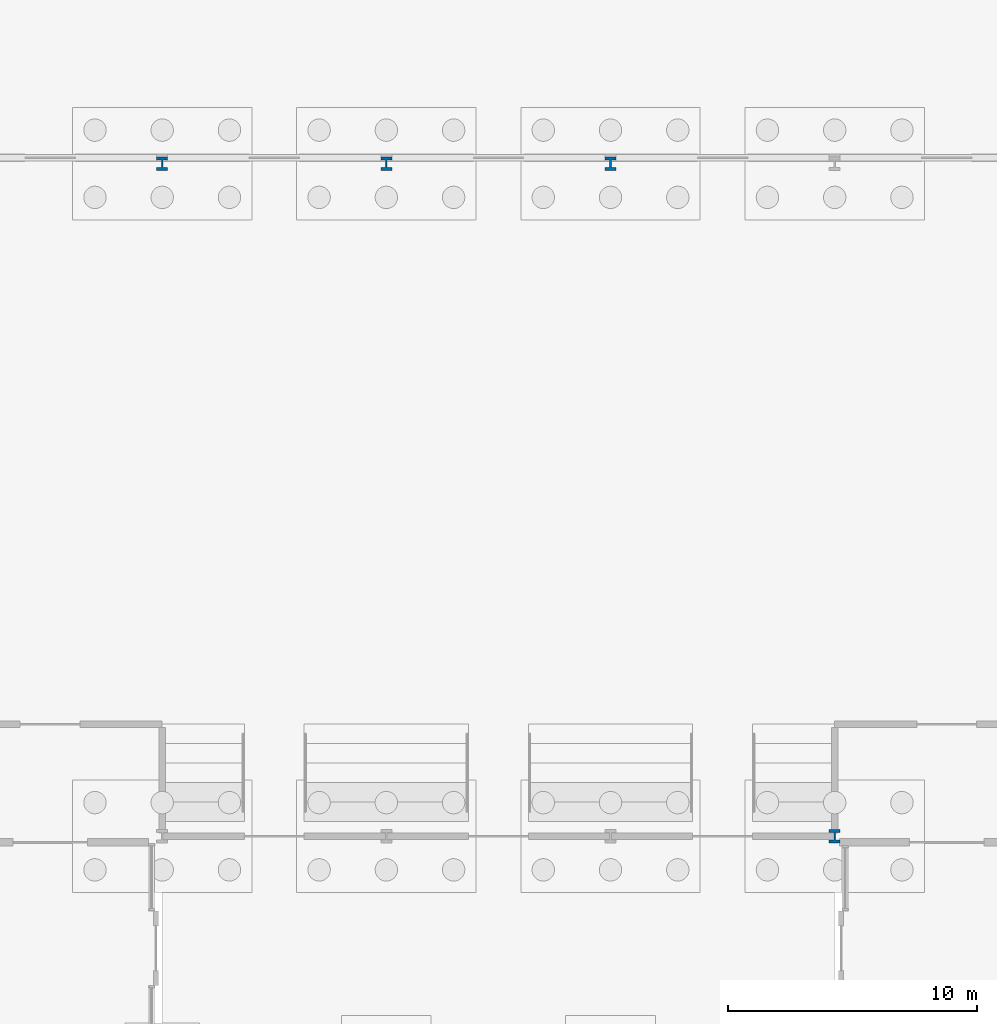
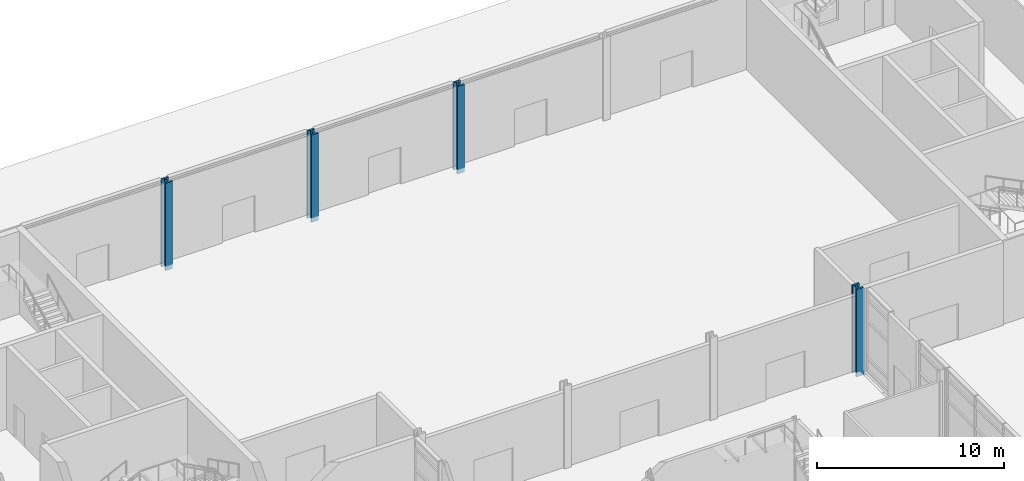
# One storey, part 8 of 45: 4 columns.
"""IFC4 building model written with IfcOpenShell, lengths in metres."""

from ifc_helpers import new_model, si_unit, direction, frame, origin, origin_2d, place, context, subcontext, project, spatial, i_section, extrude, material, material_profile, profile_set, type_object, element, save


model = new_model("IFC4")

# Units and contexts
model_context = context("Model", 3, precision=1e-05, world=origin(), true_north=direction((0.0, 1.0)))
body_context = subcontext(model_context, "Body", "Model", "MODEL_VIEW")
ifc_project = project(units=[si_unit("LENGTHUNIT", "METRE"), si_unit("AREAUNIT", "SQUARE_METRE"), si_unit("VOLUMEUNIT", "CUBIC_METRE"), si_unit("PLANEANGLEUNIT", "RADIAN"), si_unit("MASSUNIT", "GRAM", prefix="KILO")], contexts=[model_context])

# Site, building, storey
site_placement = place(None, origin())
site = spatial("IfcSite", under=ifc_project, at=site_placement, CompositionType="ELEMENT")
building_placement = place(site_placement, origin())
building = spatial("IfcBuilding", under=site, at=building_placement, Name="Azimuth Sports and Learning Centre", CompositionType="ELEMENT")
storey_placement = place(building_placement, origin())
storey = spatial("IfcBuildingStorey", under=building, at=storey_placement, Name="L00", CompositionType="ELEMENT", Elevation=0.0)

# Columns
ifc_material = material(Name="Steel S460", Category="steel")
ifc_material_profile = material_profile(ifc_material, i_section(OverallWidth=0.44189453125, OverallDepth=0.531005859375, WebThickness=0.06591796875, FlangeThickness=0.10595703125, FilletRadius=0.014892578125, at=origin_2d()), Name="HD 400x900")
ifc_profile_set = profile_set([ifc_material_profile], Name="Steel S460")
column_type = type_object("IfcColumnType", Name="Column HD 400x900", PredefinedType="COLUMN", material=ifc_profile_set)
for number, where, z_axis, x_axis, name in (
    (1, (99.0, 90.0, -0.300048828125), (0.0, 0.0, 1.0), (1.0, 0.0, 0.0), "Column 12L L00"),
    (2, (72.0, 117.0, -0.300048828125), (0.0, 0.0, 1.0), (1.0, 0.0, 0.0), "Column 9P L00"),
    (3, (81.0, 117.0, -0.300048828125), (0.0, 0.0, 1.0), (1.0, 0.0, 0.0), "Column 10P L00"),
    (4, (90.0, 117.0, -0.300048828125), (0.0, 0.0, 1.0), (1.0, 0.0, 0.0), "Column 11P L00"),
):
    element("IfcColumn", number, at=place(storey_placement, frame(where, z_axis=z_axis, x_axis=x_axis)), inside=storey, type_object=column_type, Name=name, PredefinedType="COLUMN", context=body_context, shape_type="SweptSolid", body=[
        extrude(i_section(OverallWidth=0.44189453125, OverallDepth=0.531005859375, WebThickness=0.06591796875, FlangeThickness=0.10595703125, FilletRadius=0.014892578125, at=origin_2d()), origin(), (0.0, 0.0, 1.0), 5.699951171875),
    ])

save(model, "model.ifc")
